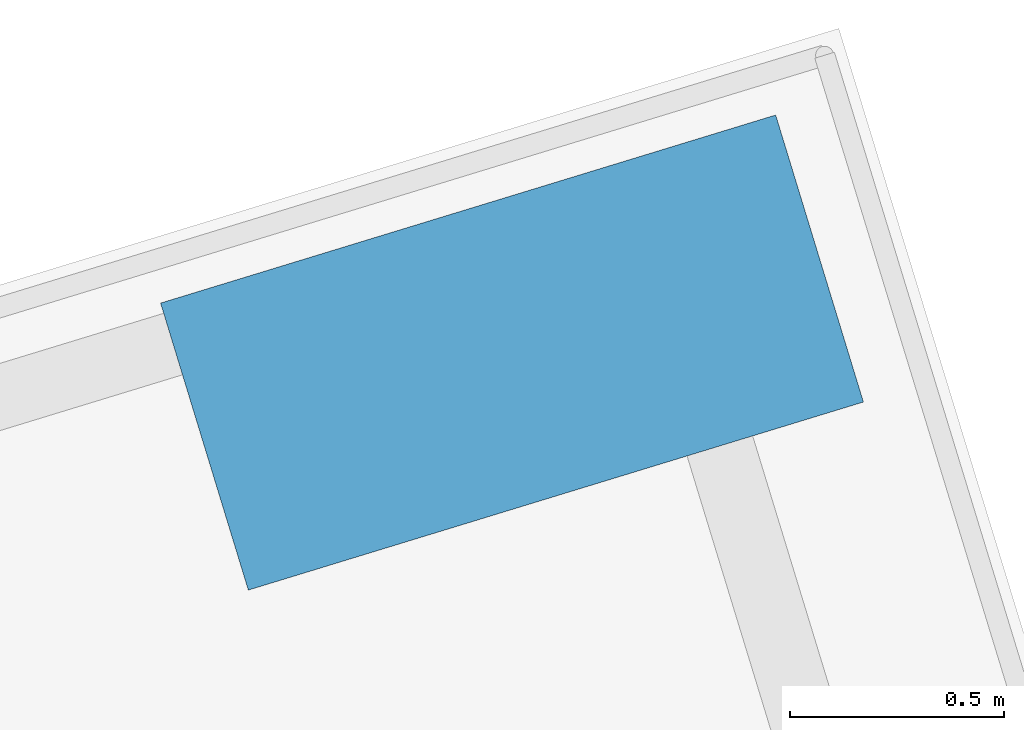
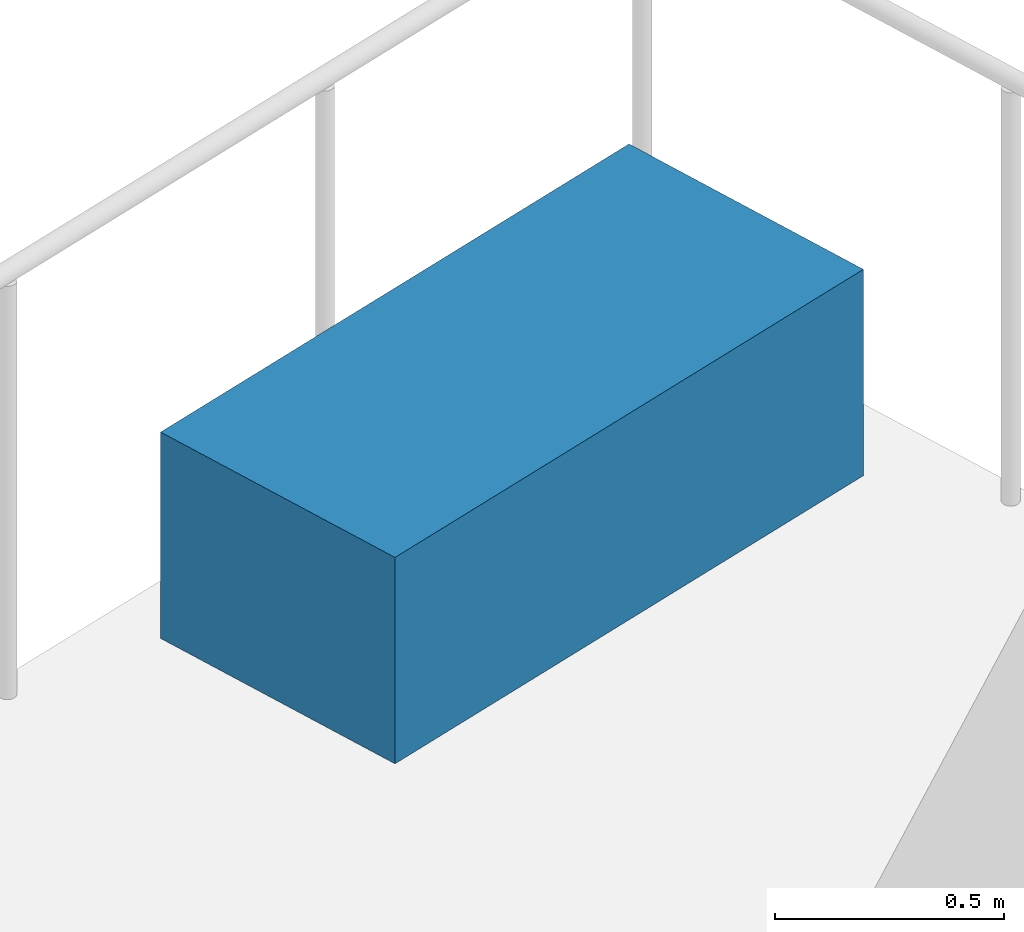
# One storey, part 6 of 9: 1 discrete accessory.
"""IFC4 building model written with IfcOpenShell, lengths in metres."""

from ifc_helpers import new_model, si_unit, direction, frame, origin, origin_2d, place, context, subcontext, project, spatial, rectangle, extrude, source, transform, mapped, material, type_object, element, save


model = new_model("IFC4")

# Units and contexts
model_context = context("Model", 3, precision=1e-05, world=origin(), true_north=direction((0.0, 1.0)))
body_context = subcontext(model_context, "Body", "Model", "MODEL_VIEW")
ifc_project = project(units=[si_unit("LENGTHUNIT", "METRE"), si_unit("AREAUNIT", "SQUARE_METRE"), si_unit("VOLUMEUNIT", "CUBIC_METRE"), si_unit("PLANEANGLEUNIT", "RADIAN"), si_unit("MASSUNIT", "GRAM", prefix="KILO"), si_unit("THERMODYNAMICTEMPERATUREUNIT", "KELVIN")], contexts=[model_context])

# Site, building, storey
site_placement = place(None, origin())
site = spatial("IfcSite", under=ifc_project, at=site_placement, CompositionType="ELEMENT")
building_placement = place(site_placement, origin())
building = spatial("IfcBuilding", under=site, at=building_placement, Name="Kosmvard Interchange Tower", CompositionType="ELEMENT")
storey_placement = place(building_placement, frame((0.0, 0.0, 127.199951171875)))
storey = spatial("IfcBuildingStorey", under=building, at=storey_placement, Name="L30", CompositionType="ELEMENT", Elevation=127.199951171875)

# Discrete accessory
ifc_material = material(Name="Terracotta precast planter concrete C45/55", Category="masonry")
discrete_accessory_type = type_object("IfcDiscreteAccessoryType", Name="Precast Tree-Balcony & Terrace Planter Box", PredefinedType="USERDEFINED", material=ifc_material)
shared_shape = source(origin(), body_context, "Body", "SweptSolid", [
    extrude(rectangle(XDim=1.5, YDim=0.699951171875, at=origin_2d()), origin(), (0.0, 0.0, 1.0), 0.550048828125),
])
discrete_accessory_placement = place(storey_placement, frame((-1.052734375, 29.950927734375, 0.0), z_axis=(0.0, 0.0, 1.0), x_axis=(0.956304755963, 0.292371704723, 0.0)))
element("IfcDiscreteAccessory", 1, at=discrete_accessory_placement, inside=storey, type_object=discrete_accessory_type, Name="L30 Balcony Tree Planter BAL-L30-N", ObjectType="PLANTER", PredefinedType="USERDEFINED", context=body_context, shape_type="MappedRepresentation", body=[
    mapped(shared_shape, transform((0.0, 0.0, 0.0), scale=1.0)),
])

save(model, "model.ifc")
